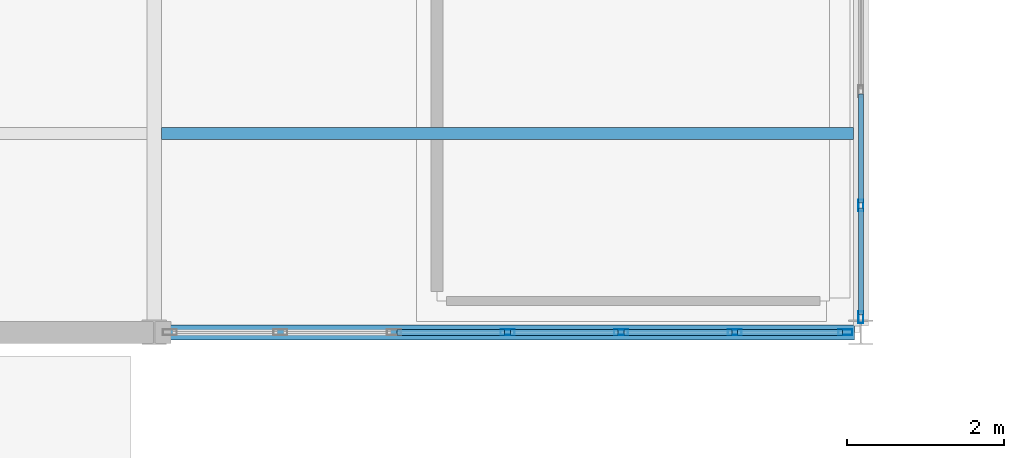
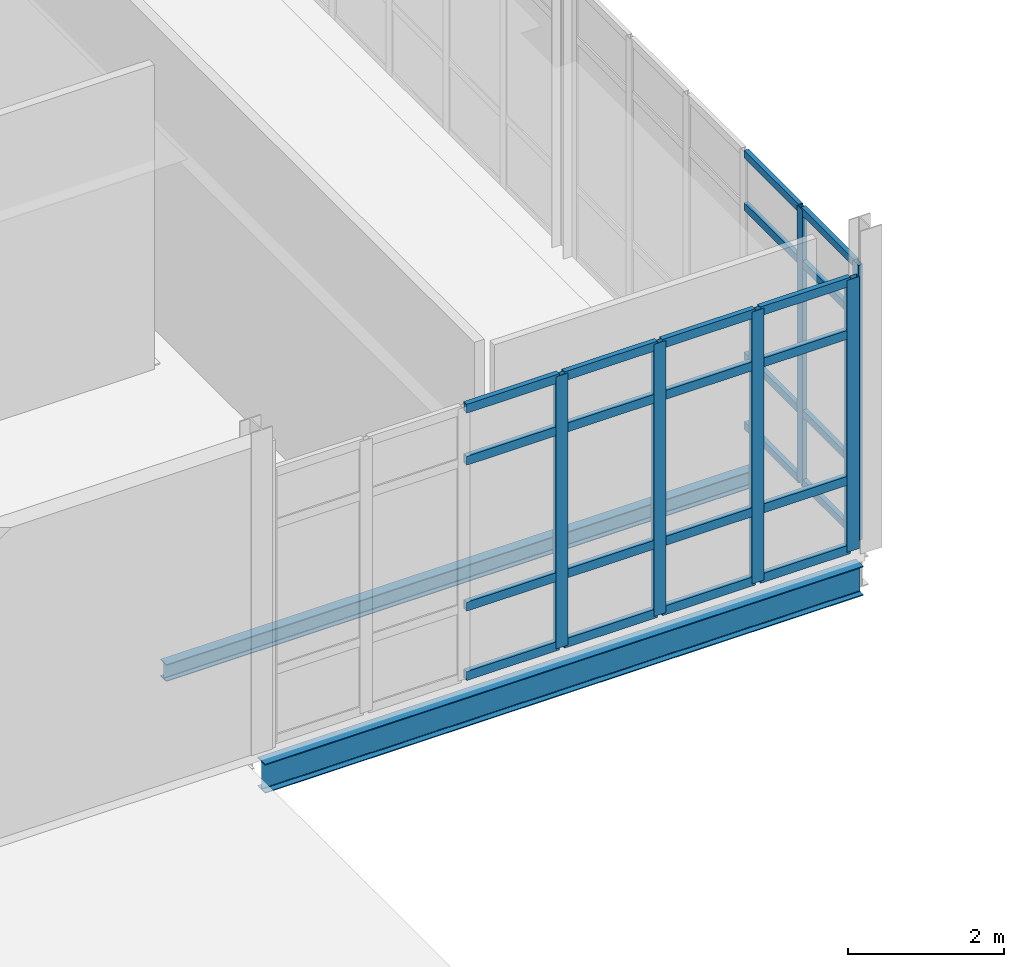
# One storey, part 109 of 161: 30 members, 2 beams, 2 elements without a shape of their own.
"""IFC4 building model written with IfcOpenShell, lengths in metres."""

from ifc_helpers import new_model, si_unit, direction, frame, origin, origin_2d, place, context, subcontext, project, spatial, hollow_rectangle, i_section, extrude, material, material_profile, profile_set, type_object, element, aggregate, save


model = new_model("IFC4")

# Units and contexts
model_context = context("Model", 3, precision=1e-05, world=origin(), true_north=direction((0.0, 1.0)))
body_context = subcontext(model_context, "Body", "Model", "MODEL_VIEW")
ifc_project = project(units=[si_unit("LENGTHUNIT", "METRE"), si_unit("AREAUNIT", "SQUARE_METRE"), si_unit("VOLUMEUNIT", "CUBIC_METRE"), si_unit("PLANEANGLEUNIT", "RADIAN"), si_unit("MASSUNIT", "GRAM", prefix="KILO")], contexts=[model_context])

# Site, building, storey
site_placement = place(None, origin())
site = spatial("IfcSite", under=ifc_project, at=site_placement, CompositionType="ELEMENT")
building_placement = place(site_placement, origin())
building = spatial("IfcBuilding", under=site, at=building_placement, Name="Caisbarro Railhouse Central Library", CompositionType="ELEMENT")
storey_placement = place(building_placement, origin())
storey = spatial("IfcBuildingStorey", under=building, at=storey_placement, Name="L00", CompositionType="ELEMENT", Elevation=0.0)

# Beams
ifc_material_1 = material(Name="Steel ASTM A572 Grade 50", Category="steel")
ifc_material_profile_1 = material_profile(ifc_material_1, i_section(OverallWidth=0.14794921875, OverallDepth=0.26611328125, WebThickness=0.007568359375, FlangeThickness=0.012939453125, FilletRadius=0.010009765625, at=origin_2d()), Name="W250X44.8")
ifc_profile_set_1 = profile_set([ifc_material_profile_1], Name="Steel ASTM A572 Grade 50")
beam_type_1 = type_object("IfcBeamType", Name="BM-J04", PredefinedType="JOIST", material=ifc_profile_set_1)
beam_1_placement = place(storey_placement, frame((144.094970703125, 63.333251953125, -0.383056640625), z_axis=(1.0, 0.0, 0.0), x_axis=(0.0, 1.0, 0.0)))
element("IfcBeam", 1, at=beam_1_placement, inside=storey, type_object=beam_type_1, Name="J04 beam L00 #599", PredefinedType="JOIST", context=body_context, shape_type="SweptSolid", body=[
    extrude(i_section(OverallWidth=0.14794921875, OverallDepth=0.26611328125, WebThickness=0.007568359375, FlangeThickness=0.012939453125, FilletRadius=0.010009765625, at=origin_2d()), origin(), (0.0, 0.0, 1.0), 8.81005859375),
])
ifc_material_profile_2 = material_profile(ifc_material_1, i_section(OverallWidth=0.18994140625, OverallDepth=0.45703125, WebThickness=0.009033203125, FlangeThickness=0.014404296875, FilletRadius=0.01806640625, at=origin_2d()), Name="W460X74.0")
ifc_profile_set_2 = profile_set([ifc_material_profile_2], Name="Steel ASTM A572 Grade 50")
beam_type_2 = type_object("IfcBeamType", Name="BM-SP01", PredefinedType="SPANDREL", material=ifc_profile_set_2)
beam_2_placement = place(storey_placement, frame((144.080078125, 60.800048828125, -0.478515625), z_axis=(1.0, 0.0, 0.0), x_axis=(0.0, 1.0, 0.0)))
element("IfcBeam", 2, at=beam_2_placement, inside=storey, type_object=beam_type_2, Name="SP01 beam L00 #493", PredefinedType="SPANDREL", context=body_context, shape_type="SweptSolid", body=[
    extrude(i_section(OverallWidth=0.18994140625, OverallDepth=0.45703125, WebThickness=0.009033203125, FlangeThickness=0.014404296875, FilletRadius=0.01806640625, at=origin_2d()), origin(), (0.0, 0.0, 1.0), 8.83984375),
])

# Curtain wall, members
ifc_material_2 = material(Name="Anodised architectural aluminium", Category="aluminium")
curtain_wall_type_1 = type_object("IfcCurtainWallType", Name="CW-CW02", PredefinedType="NOTDEFINED", material=ifc_material_2)
curtain_wall_1_placement = place(storey_placement, origin())
curtain_wall_1 = element("IfcCurtainWall", 3, at=curtain_wall_1_placement, inside=storey, type_object=curtain_wall_type_1, Name="CW02 curtain wall L00 #105", PredefinedType="NOTDEFINED")
ifc_material_profile_3 = material_profile(ifc_material_2, hollow_rectangle(XDim=0.074951171875, YDim=0.179931640625, WallThickness=0.00439453125, at=origin_2d()), Name="ALU-MUL-75X180")
ifc_profile_set_3 = profile_set([ifc_material_profile_3], Name="Anodised architectural aluminium")
member_type_1 = type_object("IfcMemberType", Name="CWM-M01", PredefinedType="MULLION", material=ifc_profile_set_3)
member_1_placement = place(storey_placement, frame((148.5, 60.800048828125, 0.0), z_axis=(0.0, 0.0, 1.0), x_axis=(0.0, 1.0, 0.0)))
member_1 = element("IfcMember", 4, at=member_1_placement, type_object=member_type_1, Name="CW02 mullion 4", PredefinedType="MULLION", context=body_context, shape_type="SweptSolid", body=[
    extrude(hollow_rectangle(XDim=0.074951171875, YDim=0.179931640625, WallThickness=0.00439453125, at=origin_2d()), origin(), (0.0, 0.0, 1.0), 4.25),
])
member_2_placement = place(storey_placement, frame((149.94677734375, 60.800048828125, 0.0), z_axis=(0.0, 0.0, 1.0), x_axis=(0.0, 1.0, 0.0)))
member_2 = element("IfcMember", 5, at=member_2_placement, type_object=member_type_1, Name="CW02 mullion 5", PredefinedType="MULLION", context=body_context, shape_type="SweptSolid", body=[
    extrude(hollow_rectangle(XDim=0.074951171875, YDim=0.179931640625, WallThickness=0.00439453125, at=origin_2d()), origin(), (0.0, 0.0, 1.0), 4.25),
])
member_3_placement = place(storey_placement, frame((151.393310546875, 60.800048828125, 0.0), z_axis=(0.0, 0.0, 1.0), x_axis=(0.0, 1.0, 0.0)))
member_3 = element("IfcMember", 6, at=member_3_placement, type_object=member_type_1, Name="CW02 mullion 6", PredefinedType="MULLION", context=body_context, shape_type="SweptSolid", body=[
    extrude(hollow_rectangle(XDim=0.074951171875, YDim=0.179931640625, WallThickness=0.00439453125, at=origin_2d()), origin(), (0.0, 0.0, 1.0), 4.25),
])
member_4_placement = place(storey_placement, frame((152.802490234375, 60.800048828125, 0.0), z_axis=(0.0, 0.0, 1.0), x_axis=(0.0, 1.0, 0.0)))
member_4 = element("IfcMember", 7, at=member_4_placement, type_object=member_type_1, Name="CW02 mullion 7", PredefinedType="MULLION", context=body_context, shape_type="SweptSolid", body=[
    extrude(hollow_rectangle(XDim=0.074951171875, YDim=0.179931640625, WallThickness=0.00439453125, at=origin_2d()), origin(), (0.0, 0.0, 1.0), 4.25),
])

curtain_wall_type_2 = type_object("IfcCurtainWallType", Name="CW-CW03", PredefinedType="NOTDEFINED", material=ifc_material_2)
curtain_wall_2_placement = place(storey_placement, origin())
curtain_wall_2 = element("IfcCurtainWall", 8, at=curtain_wall_2_placement, inside=storey, type_object=curtain_wall_type_2, Name="CW03 curtain wall L00 #106", PredefinedType="NOTDEFINED")
ifc_material_profile_4 = material_profile(ifc_material_2, hollow_rectangle(XDim=0.06494140625, YDim=0.14990234375, WallThickness=0.00390625, at=origin_2d()), Name="ALU-MUL-65X150")
ifc_profile_set_4 = profile_set([ifc_material_profile_4], Name="Anodised architectural aluminium")
member_type_2 = type_object("IfcMemberType", Name="CWM-M02", PredefinedType="MULLION", material=ifc_profile_set_4)
member_5_placement = place(storey_placement, frame((153.0, 60.992431640625, 0.0), z_axis=(0.0, 0.0, 1.0), x_axis=(-1.0, 0.0, 0.0)))
member_5 = element("IfcMember", 9, at=member_5_placement, type_object=member_type_2, Name="CW03 mullion 1", PredefinedType="MULLION", context=body_context, shape_type="SweptSolid", body=[
    extrude(hollow_rectangle(XDim=0.06494140625, YDim=0.14990234375, WallThickness=0.00390625, at=origin_2d()), origin(), (0.0, 0.0, 1.0), 4.300048828125),
])
member_6_placement = place(storey_placement, frame((153.0, 62.416015625, 0.0), z_axis=(0.0, 0.0, 1.0), x_axis=(-1.0, 0.0, 0.0)))
member_6 = element("IfcMember", 10, at=member_6_placement, type_object=member_type_2, Name="CW03 mullion 2", PredefinedType="MULLION", context=body_context, shape_type="SweptSolid", body=[
    extrude(hollow_rectangle(XDim=0.06494140625, YDim=0.14990234375, WallThickness=0.00390625, at=origin_2d()), origin(), (0.0, 0.0, 1.0), 4.300048828125),
])

# Member
ifc_material_profile_5 = material_profile(ifc_material_2, hollow_rectangle(XDim=0.074951171875, YDim=0.139892578125, WallThickness=0.00390625, at=origin_2d()), Name="ALU-TRN-75X140")
ifc_profile_set_5 = profile_set([ifc_material_profile_5], Name="Anodised architectural aluminium")
member_type_3 = type_object("IfcMemberType", Name="CWT-T01", PredefinedType="USERDEFINED", material=ifc_profile_set_5)
member_7_placement = place(storey_placement, frame((147.0908203125, 60.800048828125, 0.03759765625), z_axis=(1.0, 0.0, 0.0), x_axis=(0.0, 1.0, 0.0)))
member_7 = element("IfcMember", 11, at=member_7_placement, type_object=member_type_3, Name="CW02 transom 3.1", ObjectType="TRANSOM", PredefinedType="USERDEFINED", context=body_context, shape_type="SweptSolid", body=[
    extrude(hollow_rectangle(XDim=0.074951171875, YDim=0.139892578125, WallThickness=0.00390625, at=origin_2d()), origin(), (0.0, 0.0, 1.0), 1.37158203125),
])

member_8_placement = place(storey_placement, frame((147.0908203125, 60.800048828125, 1.1201171875), z_axis=(1.0, 0.0, 0.0), x_axis=(0.0, 1.0, 0.0)))
member_8 = element("IfcMember", 12, at=member_8_placement, type_object=member_type_3, Name="CW02 transom 3.2", ObjectType="TRANSOM", PredefinedType="USERDEFINED", context=body_context, shape_type="SweptSolid", body=[
    extrude(hollow_rectangle(XDim=0.074951171875, YDim=0.139892578125, WallThickness=0.00390625, at=origin_2d()), origin(), (0.0, 0.0, 1.0), 1.37158203125),
])

member_9_placement = place(storey_placement, frame((147.0908203125, 60.800048828125, 3.39990234375), z_axis=(1.0, 0.0, 0.0), x_axis=(0.0, 1.0, 0.0)))
member_9 = element("IfcMember", 13, at=member_9_placement, type_object=member_type_3, Name="CW02 transom 3.3", ObjectType="TRANSOM", PredefinedType="USERDEFINED", context=body_context, shape_type="SweptSolid", body=[
    extrude(hollow_rectangle(XDim=0.074951171875, YDim=0.139892578125, WallThickness=0.00390625, at=origin_2d()), origin(), (0.0, 0.0, 1.0), 1.37158203125),
])

member_10_placement = place(storey_placement, frame((147.0908203125, 60.800048828125, 4.21240234375), z_axis=(1.0, 0.0, 0.0), x_axis=(0.0, 1.0, 0.0)))
member_10 = element("IfcMember", 14, at=member_10_placement, type_object=member_type_3, Name="CW02 transom 3.4", ObjectType="TRANSOM", PredefinedType="USERDEFINED", context=body_context, shape_type="SweptSolid", body=[
    extrude(hollow_rectangle(XDim=0.074951171875, YDim=0.139892578125, WallThickness=0.00390625, at=origin_2d()), origin(), (0.0, 0.0, 1.0), 1.37158203125),
])

member_11_placement = place(storey_placement, frame((148.53759765625, 60.800048828125, 0.03759765625), z_axis=(1.0, 0.0, 0.0), x_axis=(0.0, 1.0, 0.0)))
member_11 = element("IfcMember", 15, at=member_11_placement, type_object=member_type_3, Name="CW02 transom 4.1", ObjectType="TRANSOM", PredefinedType="USERDEFINED", context=body_context, shape_type="SweptSolid", body=[
    extrude(hollow_rectangle(XDim=0.074951171875, YDim=0.139892578125, WallThickness=0.00390625, at=origin_2d()), origin(), (0.0, 0.0, 1.0), 1.37158203125),
])

member_12_placement = place(storey_placement, frame((148.53759765625, 60.800048828125, 1.1201171875), z_axis=(1.0, 0.0, 0.0), x_axis=(0.0, 1.0, 0.0)))
member_12 = element("IfcMember", 16, at=member_12_placement, type_object=member_type_3, Name="CW02 transom 4.2", ObjectType="TRANSOM", PredefinedType="USERDEFINED", context=body_context, shape_type="SweptSolid", body=[
    extrude(hollow_rectangle(XDim=0.074951171875, YDim=0.139892578125, WallThickness=0.00390625, at=origin_2d()), origin(), (0.0, 0.0, 1.0), 1.37158203125),
])

member_13_placement = place(storey_placement, frame((148.53759765625, 60.800048828125, 3.39990234375), z_axis=(1.0, 0.0, 0.0), x_axis=(0.0, 1.0, 0.0)))
member_13 = element("IfcMember", 17, at=member_13_placement, type_object=member_type_3, Name="CW02 transom 4.3", ObjectType="TRANSOM", PredefinedType="USERDEFINED", context=body_context, shape_type="SweptSolid", body=[
    extrude(hollow_rectangle(XDim=0.074951171875, YDim=0.139892578125, WallThickness=0.00390625, at=origin_2d()), origin(), (0.0, 0.0, 1.0), 1.37158203125),
])

member_14_placement = place(storey_placement, frame((148.53759765625, 60.800048828125, 4.21240234375), z_axis=(1.0, 0.0, 0.0), x_axis=(0.0, 1.0, 0.0)))
member_14 = element("IfcMember", 18, at=member_14_placement, type_object=member_type_3, Name="CW02 transom 4.4", ObjectType="TRANSOM", PredefinedType="USERDEFINED", context=body_context, shape_type="SweptSolid", body=[
    extrude(hollow_rectangle(XDim=0.074951171875, YDim=0.139892578125, WallThickness=0.00390625, at=origin_2d()), origin(), (0.0, 0.0, 1.0), 1.37158203125),
])

member_15_placement = place(storey_placement, frame((149.984130859375, 60.800048828125, 0.03759765625), z_axis=(1.0, 0.0, 0.0), x_axis=(0.0, 1.0, 0.0)))
member_15 = element("IfcMember", 19, at=member_15_placement, type_object=member_type_3, Name="CW02 transom 5.1", ObjectType="TRANSOM", PredefinedType="USERDEFINED", context=body_context, shape_type="SweptSolid", body=[
    extrude(hollow_rectangle(XDim=0.074951171875, YDim=0.139892578125, WallThickness=0.00390625, at=origin_2d()), origin(), (0.0, 0.0, 1.0), 1.37158203125),
])

member_16_placement = place(storey_placement, frame((149.984130859375, 60.800048828125, 1.1201171875), z_axis=(1.0, 0.0, 0.0), x_axis=(0.0, 1.0, 0.0)))
member_16 = element("IfcMember", 20, at=member_16_placement, type_object=member_type_3, Name="CW02 transom 5.2", ObjectType="TRANSOM", PredefinedType="USERDEFINED", context=body_context, shape_type="SweptSolid", body=[
    extrude(hollow_rectangle(XDim=0.074951171875, YDim=0.139892578125, WallThickness=0.00390625, at=origin_2d()), origin(), (0.0, 0.0, 1.0), 1.37158203125),
])

member_17_placement = place(storey_placement, frame((149.984130859375, 60.800048828125, 3.39990234375), z_axis=(1.0, 0.0, 0.0), x_axis=(0.0, 1.0, 0.0)))
member_17 = element("IfcMember", 21, at=member_17_placement, type_object=member_type_3, Name="CW02 transom 5.3", ObjectType="TRANSOM", PredefinedType="USERDEFINED", context=body_context, shape_type="SweptSolid", body=[
    extrude(hollow_rectangle(XDim=0.074951171875, YDim=0.139892578125, WallThickness=0.00390625, at=origin_2d()), origin(), (0.0, 0.0, 1.0), 1.37158203125),
])

member_18_placement = place(storey_placement, frame((149.984130859375, 60.800048828125, 4.21240234375), z_axis=(1.0, 0.0, 0.0), x_axis=(0.0, 1.0, 0.0)))
member_18 = element("IfcMember", 22, at=member_18_placement, type_object=member_type_3, Name="CW02 transom 5.4", ObjectType="TRANSOM", PredefinedType="USERDEFINED", context=body_context, shape_type="SweptSolid", body=[
    extrude(hollow_rectangle(XDim=0.074951171875, YDim=0.139892578125, WallThickness=0.00390625, at=origin_2d()), origin(), (0.0, 0.0, 1.0), 1.37158203125),
])

member_19_placement = place(storey_placement, frame((151.430908203125, 60.800048828125, 0.03759765625), z_axis=(1.0, 0.0, 0.0), x_axis=(0.0, 1.0, 0.0)))
member_19 = element("IfcMember", 23, at=member_19_placement, type_object=member_type_3, Name="CW02 transom 6.1", ObjectType="TRANSOM", PredefinedType="USERDEFINED", context=body_context, shape_type="SweptSolid", body=[
    extrude(hollow_rectangle(XDim=0.074951171875, YDim=0.139892578125, WallThickness=0.00390625, at=origin_2d()), origin(), (0.0, 0.0, 1.0), 1.333984375),
])

member_20_placement = place(storey_placement, frame((151.430908203125, 60.800048828125, 1.1201171875), z_axis=(1.0, 0.0, 0.0), x_axis=(0.0, 1.0, 0.0)))
member_20 = element("IfcMember", 24, at=member_20_placement, type_object=member_type_3, Name="CW02 transom 6.2", ObjectType="TRANSOM", PredefinedType="USERDEFINED", context=body_context, shape_type="SweptSolid", body=[
    extrude(hollow_rectangle(XDim=0.074951171875, YDim=0.139892578125, WallThickness=0.00390625, at=origin_2d()), origin(), (0.0, 0.0, 1.0), 1.333984375),
])

member_21_placement = place(storey_placement, frame((151.430908203125, 60.800048828125, 3.39990234375), z_axis=(1.0, 0.0, 0.0), x_axis=(0.0, 1.0, 0.0)))
member_21 = element("IfcMember", 25, at=member_21_placement, type_object=member_type_3, Name="CW02 transom 6.3", ObjectType="TRANSOM", PredefinedType="USERDEFINED", context=body_context, shape_type="SweptSolid", body=[
    extrude(hollow_rectangle(XDim=0.074951171875, YDim=0.139892578125, WallThickness=0.00390625, at=origin_2d()), origin(), (0.0, 0.0, 1.0), 1.333984375),
])

member_22_placement = place(storey_placement, frame((151.430908203125, 60.800048828125, 4.21240234375), z_axis=(1.0, 0.0, 0.0), x_axis=(0.0, 1.0, 0.0)))
member_22 = element("IfcMember", 26, at=member_22_placement, type_object=member_type_3, Name="CW02 transom 6.4", ObjectType="TRANSOM", PredefinedType="USERDEFINED", context=body_context, shape_type="SweptSolid", body=[
    extrude(hollow_rectangle(XDim=0.074951171875, YDim=0.139892578125, WallThickness=0.00390625, at=origin_2d()), origin(), (0.0, 0.0, 1.0), 1.333984375),
])

aggregate(curtain_wall_1, [member_1, member_2, member_3, member_4, member_7, member_8, member_9, member_10, member_11, member_12, member_13, member_14, member_15, member_16, member_17, member_18, member_19, member_20, member_21, member_22])

ifc_material_profile_6 = material_profile(ifc_material_2, hollow_rectangle(XDim=0.06494140625, YDim=0.1201171875, WallThickness=0.00341796875, at=origin_2d()), Name="ALU-TRN-65X120")
ifc_profile_set_6 = profile_set([ifc_material_profile_6], Name="Anodised architectural aluminium")
member_type_4 = type_object("IfcMemberType", Name="CWT-T02", PredefinedType="USERDEFINED", material=ifc_profile_set_6)
member_23_placement = place(storey_placement, frame((153.0, 61.02490234375, 0.032470703125), z_axis=(0.0, 1.0, 0.0), x_axis=(-1.0, 0.0, 0.0)))
member_23 = element("IfcMember", 27, at=member_23_placement, type_object=member_type_4, Name="CW03 transom 1.1", ObjectType="TRANSOM", PredefinedType="USERDEFINED", context=body_context, shape_type="SweptSolid", body=[
    extrude(hollow_rectangle(XDim=0.06494140625, YDim=0.1201171875, WallThickness=0.00341796875, at=origin_2d()), origin(), (0.0, 0.0, 1.0), 1.358642578125),
])

member_24_placement = place(storey_placement, frame((153.0, 61.02490234375, 1.1201171875), z_axis=(0.0, 1.0, 0.0), x_axis=(-1.0, 0.0, 0.0)))
member_24 = element("IfcMember", 28, at=member_24_placement, type_object=member_type_4, Name="CW03 transom 1.2", ObjectType="TRANSOM", PredefinedType="USERDEFINED", context=body_context, shape_type="SweptSolid", body=[
    extrude(hollow_rectangle(XDim=0.06494140625, YDim=0.1201171875, WallThickness=0.00341796875, at=origin_2d()), origin(), (0.0, 0.0, 1.0), 1.358642578125),
])

member_25_placement = place(storey_placement, frame((153.0, 61.02490234375, 3.449951171875), z_axis=(0.0, 1.0, 0.0), x_axis=(-1.0, 0.0, 0.0)))
member_25 = element("IfcMember", 29, at=member_25_placement, type_object=member_type_4, Name="CW03 transom 1.3", ObjectType="TRANSOM", PredefinedType="USERDEFINED", context=body_context, shape_type="SweptSolid", body=[
    extrude(hollow_rectangle(XDim=0.06494140625, YDim=0.1201171875, WallThickness=0.00341796875, at=origin_2d()), origin(), (0.0, 0.0, 1.0), 1.358642578125),
])

member_26_placement = place(storey_placement, frame((153.0, 61.02490234375, 4.267578125), z_axis=(0.0, 1.0, 0.0), x_axis=(-1.0, 0.0, 0.0)))
member_26 = element("IfcMember", 30, at=member_26_placement, type_object=member_type_4, Name="CW03 transom 1.4", ObjectType="TRANSOM", PredefinedType="USERDEFINED", context=body_context, shape_type="SweptSolid", body=[
    extrude(hollow_rectangle(XDim=0.06494140625, YDim=0.1201171875, WallThickness=0.00341796875, at=origin_2d()), origin(), (0.0, 0.0, 1.0), 1.358642578125),
])

member_27_placement = place(storey_placement, frame((153.0, 62.448486328125, 0.032470703125), z_axis=(0.0, 1.0, 0.0), x_axis=(-1.0, 0.0, 0.0)))
member_27 = element("IfcMember", 31, at=member_27_placement, type_object=member_type_4, Name="CW03 transom 2.1", ObjectType="TRANSOM", PredefinedType="USERDEFINED", context=body_context, shape_type="SweptSolid", body=[
    extrude(hollow_rectangle(XDim=0.06494140625, YDim=0.1201171875, WallThickness=0.00341796875, at=origin_2d()), origin(), (0.0, 0.0, 1.0), 1.39111328125),
])

member_28_placement = place(storey_placement, frame((153.0, 62.448486328125, 1.1201171875), z_axis=(0.0, 1.0, 0.0), x_axis=(-1.0, 0.0, 0.0)))
member_28 = element("IfcMember", 32, at=member_28_placement, type_object=member_type_4, Name="CW03 transom 2.2", ObjectType="TRANSOM", PredefinedType="USERDEFINED", context=body_context, shape_type="SweptSolid", body=[
    extrude(hollow_rectangle(XDim=0.06494140625, YDim=0.1201171875, WallThickness=0.00341796875, at=origin_2d()), origin(), (0.0, 0.0, 1.0), 1.39111328125),
])

member_29_placement = place(storey_placement, frame((153.0, 62.448486328125, 3.449951171875), z_axis=(0.0, 1.0, 0.0), x_axis=(-1.0, 0.0, 0.0)))
member_29 = element("IfcMember", 33, at=member_29_placement, type_object=member_type_4, Name="CW03 transom 2.3", ObjectType="TRANSOM", PredefinedType="USERDEFINED", context=body_context, shape_type="SweptSolid", body=[
    extrude(hollow_rectangle(XDim=0.06494140625, YDim=0.1201171875, WallThickness=0.00341796875, at=origin_2d()), origin(), (0.0, 0.0, 1.0), 1.39111328125),
])

member_30_placement = place(storey_placement, frame((153.0, 62.448486328125, 4.267578125), z_axis=(0.0, 1.0, 0.0), x_axis=(-1.0, 0.0, 0.0)))
member_30 = element("IfcMember", 34, at=member_30_placement, type_object=member_type_4, Name="CW03 transom 2.4", ObjectType="TRANSOM", PredefinedType="USERDEFINED", context=body_context, shape_type="SweptSolid", body=[
    extrude(hollow_rectangle(XDim=0.06494140625, YDim=0.1201171875, WallThickness=0.00341796875, at=origin_2d()), origin(), (0.0, 0.0, 1.0), 1.39111328125),
])

aggregate(curtain_wall_2, [member_5, member_6, member_23, member_24, member_25, member_26, member_27, member_28, member_29, member_30])

save(model, "model.ifc")
